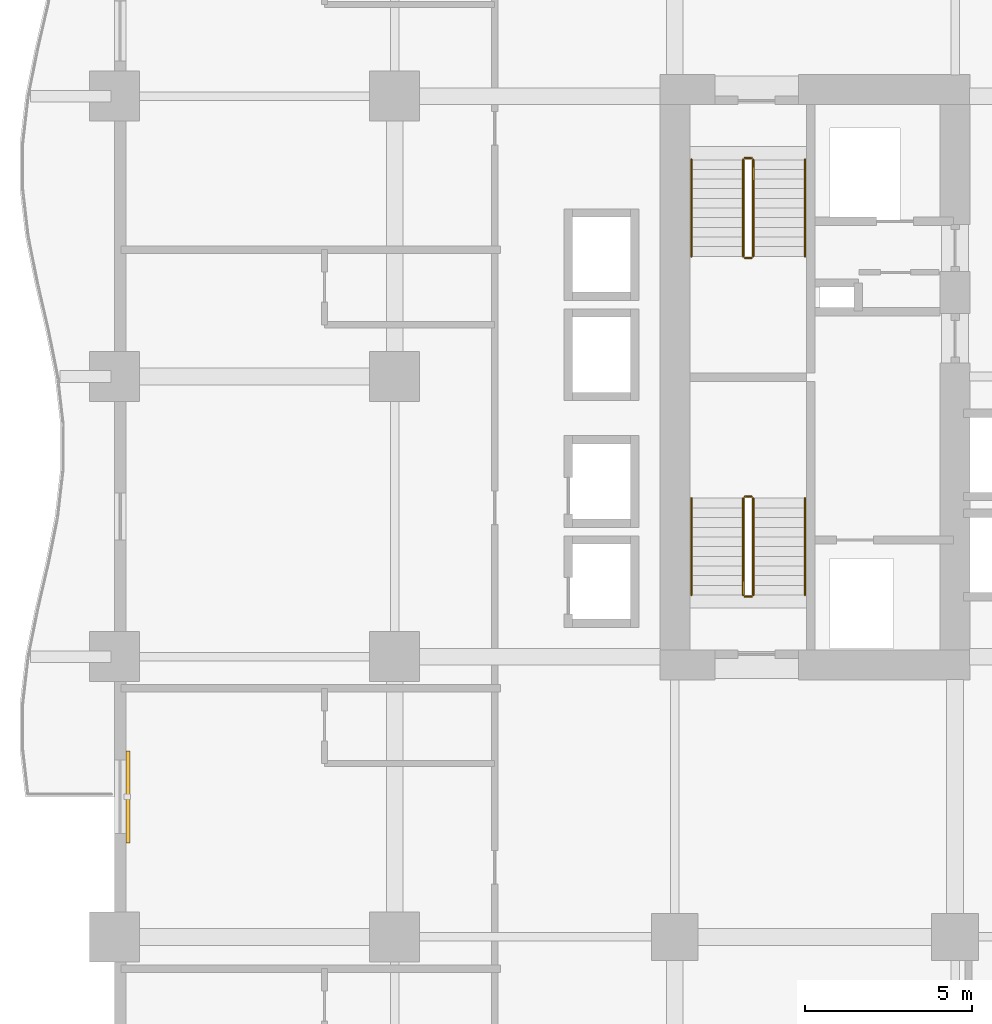
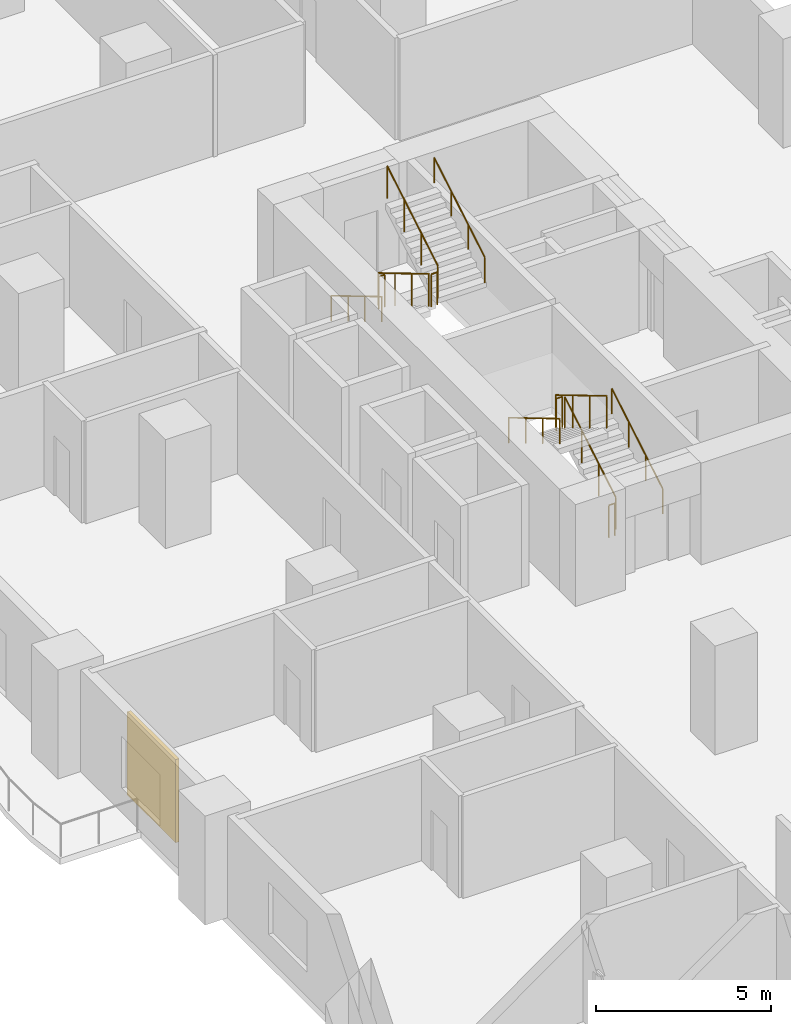
# One storey, part 21 of 22: 12 railings, 1 shading device.
"""IFC4 building model written with IfcOpenShell, lengths in metres."""

from ifc_helpers import new_model, si_unit, direction, frame, origin, origin_2d, place, context, subcontext, project, spatial, rectangle, circle, extrude, material, layer, layer_set, type_object, element, save


model = new_model("IFC4")

# Units and contexts
model_context = context("Model", 3, precision=1e-05, world=origin(), true_north=direction((0.0, 1.0)))
body_context = subcontext(model_context, "Body", "Model", "MODEL_VIEW")
ifc_project = project(units=[si_unit("LENGTHUNIT", "METRE"), si_unit("AREAUNIT", "SQUARE_METRE"), si_unit("VOLUMEUNIT", "CUBIC_METRE"), si_unit("PLANEANGLEUNIT", "RADIAN"), si_unit("MASSUNIT", "GRAM", prefix="KILO")], contexts=[model_context])

# Site, building, storey
site_placement = place(None, origin())
site = spatial("IfcSite", under=ifc_project, at=site_placement, CompositionType="ELEMENT")
building_placement = place(site_placement, origin())
building = spatial("IfcBuilding", under=site, at=building_placement, Name="Koriwani Terraces Tower", CompositionType="ELEMENT")
storey_placement = place(building_placement, frame((0.0, 0.0, 43.39990234375)))
storey = spatial("IfcBuildingStorey", under=building, at=storey_placement, Name="L09", CompositionType="ELEMENT", Elevation=43.39990234375)

# Railings
ifc_material_1 = material(Name="Steel ASTM A572 Grade 50", Category="steel")
railing_type_1 = type_object("IfcRailingType", Name="GUARD_STAIR_WELL_1120", PredefinedType="GUARDRAIL", material=ifc_material_1)
railing_1_placement = place(storey_placement, frame((19.14990234375, 43.85009765625, 0.1728515625)))
element("IfcRailing", 1, at=railing_1_placement, inside=storey, type_object=railing_type_1, Name="L09 ST-W1 stair guard 1", PredefinedType="GUARDRAIL", context=body_context, shape_type="SweptSolid", body=[
    extrude(circle(Radius=0.02392578125, at=origin_2d()), frame((0.0, 0.0, 1.1259765625), z_axis=(0.0, 0.859141464434, 0.511738159696), x_axis=(-1.0, 0.0, 0.0)), (0.0, 0.0, 1.0), 3.375244140625),
    extrude(circle(Radius=0.02099609375, at=origin_2d()), origin(), (0.0, 0.0, 1.0), 1.101806640625),
    extrude(circle(Radius=0.02099609375, at=origin_2d()), frame((0.0, 0.966552734375, 0.57568359375)), (0.0, 0.0, 1.0), 1.101806640625),
    extrude(circle(Radius=0.02099609375, at=origin_2d()), frame((0.0, 1.933349609375, 1.151611328125)), (0.0, 0.0, 1.0), 1.101806640625),
    extrude(circle(Radius=0.02099609375, at=origin_2d()), frame((0.0, 2.89990234375, 1.727294921875)), (0.0, 0.0, 1.0), 1.101806640625),
])
railing_2_placement = place(storey_placement, frame((19.10009765625, 46.800048828125, 1.900146484375)))
element("IfcRailing", 2, at=railing_2_placement, inside=storey, type_object=railing_type_1, Name="L09 ST-W1 stair guard 2", PredefinedType="GUARDRAIL", context=body_context, shape_type="SweptSolid", body=[
    extrude(circle(Radius=0.02392578125, at=origin_2d()), frame((0.0, 0.0, 1.1259765625), z_axis=(-1.0, 0.0, 0.0), x_axis=(0.0, -1.0, 0.0)), (0.0, 0.0, 1.0), 0.2001953125),
    extrude(circle(Radius=0.02099609375, at=origin_2d()), origin(), (0.0, 0.0, 1.0), 1.101806640625),
    extrude(circle(Radius=0.02099609375, at=origin_2d()), frame((-0.2001953125, 0.0, 0.0)), (0.0, 0.0, 1.0), 1.101806640625),
])
railing_3_placement = place(storey_placement, frame((18.85009765625, 46.75, 2.07275390625)))
element("IfcRailing", 3, at=railing_3_placement, inside=storey, type_object=railing_type_1, Name="L09 ST-W1 stair guard 3", PredefinedType="GUARDRAIL", context=body_context, shape_type="SweptSolid", body=[
    extrude(circle(Radius=0.02392578125, at=origin_2d()), frame((0.0, 0.0, 1.1259765625), z_axis=(0.0, -0.859141464434, 0.511738159696), x_axis=(1.0, 0.0, 0.0)), (0.0, 0.0, 1.0), 3.375244140625),
    extrude(circle(Radius=0.02099609375, at=origin_2d()), origin(), (0.0, 0.0, 1.0), 1.101806640625),
    extrude(circle(Radius=0.02099609375, at=origin_2d()), frame((0.0, -0.966552734375, 0.57568359375)), (0.0, 0.0, 1.0), 1.101806640625),
    extrude(circle(Radius=0.02099609375, at=origin_2d()), frame((0.0, -1.933349609375, 1.151611328125)), (0.0, 0.0, 1.0), 1.101806640625),
    extrude(circle(Radius=0.02099609375, at=origin_2d()), frame((0.0, -2.89990234375, 1.727294921875)), (0.0, 0.0, 1.0), 1.101806640625),
])
railing_4_placement = place(storey_placement, frame((19.10009765625, 43.800048828125, 0.0)))
element("IfcRailing", 4, at=railing_4_placement, inside=storey, type_object=railing_type_1, Name="L09 ST-W1 stair guard 4", PredefinedType="GUARDRAIL", context=body_context, shape_type="SweptSolid", body=[
    extrude(circle(Radius=0.02392578125, at=origin_2d()), frame((0.0, 0.0, 1.1259765625), z_axis=(-1.0, 0.0, 0.0), x_axis=(0.0, -1.0, 0.0)), (0.0, 0.0, 1.0), 0.2001953125),
    extrude(circle(Radius=0.02099609375, at=origin_2d()), origin(), (0.0, 0.0, 1.0), 1.101806640625),
    extrude(circle(Radius=0.02099609375, at=origin_2d()), frame((-0.2001953125, 0.0, 0.0)), (0.0, 0.0, 1.0), 1.101806640625),
])
railing_5_placement = place(storey_placement, frame((18.85009765625, 56.89990234375, 0.1728515625)))
element("IfcRailing", 5, at=railing_5_placement, inside=storey, type_object=railing_type_1, Name="L09 ST-W2 stair guard 1", PredefinedType="GUARDRAIL", context=body_context, shape_type="SweptSolid", body=[
    extrude(circle(Radius=0.02392578125, at=origin_2d()), frame((0.0, 0.0, 1.1259765625), z_axis=(0.0, -0.859141464434, 0.511738159696), x_axis=(1.0, 0.0, 0.0)), (0.0, 0.0, 1.0), 3.375244140625),
    extrude(circle(Radius=0.02099609375, at=origin_2d()), origin(), (0.0, 0.0, 1.0), 1.101806640625),
    extrude(circle(Radius=0.02099609375, at=origin_2d()), frame((0.0, -0.966552734375, 0.57568359375)), (0.0, 0.0, 1.0), 1.101806640625),
    extrude(circle(Radius=0.02099609375, at=origin_2d()), frame((0.0, -1.933349609375, 1.151611328125)), (0.0, 0.0, 1.0), 1.101806640625),
    extrude(circle(Radius=0.02099609375, at=origin_2d()), frame((0.0, -2.89990234375, 1.727294921875)), (0.0, 0.0, 1.0), 1.101806640625),
])
railing_6_placement = place(storey_placement, frame((18.89990234375, 53.949951171875, 1.900146484375)))
element("IfcRailing", 6, at=railing_6_placement, inside=storey, type_object=railing_type_1, Name="L09 ST-W2 stair guard 2", PredefinedType="GUARDRAIL", context=body_context, shape_type="SweptSolid", body=[
    extrude(circle(Radius=0.02392578125, at=origin_2d()), frame((0.0, 0.0, 1.1259765625), z_axis=(1.0, 0.0, 0.0), x_axis=(0.0, 1.0, 0.0)), (0.0, 0.0, 1.0), 0.2001953125),
    extrude(circle(Radius=0.02099609375, at=origin_2d()), origin(), (0.0, 0.0, 1.0), 1.101806640625),
    extrude(circle(Radius=0.02099609375, at=origin_2d()), frame((0.2001953125, 0.0, 0.0)), (0.0, 0.0, 1.0), 1.101806640625),
])
railing_7_placement = place(storey_placement, frame((19.14990234375, 54.0, 2.07275390625)))
element("IfcRailing", 7, at=railing_7_placement, inside=storey, type_object=railing_type_1, Name="L09 ST-W2 stair guard 3", PredefinedType="GUARDRAIL", context=body_context, shape_type="SweptSolid", body=[
    extrude(circle(Radius=0.02392578125, at=origin_2d()), frame((0.0, 0.0, 1.1259765625), z_axis=(0.0, 0.859141464434, 0.511738159696), x_axis=(-1.0, 0.0, 0.0)), (0.0, 0.0, 1.0), 3.375244140625),
    extrude(circle(Radius=0.02099609375, at=origin_2d()), origin(), (0.0, 0.0, 1.0), 1.101806640625),
    extrude(circle(Radius=0.02099609375, at=origin_2d()), frame((0.0, 0.966552734375, 0.57568359375)), (0.0, 0.0, 1.0), 1.101806640625),
    extrude(circle(Radius=0.02099609375, at=origin_2d()), frame((0.0, 1.933349609375, 1.151611328125)), (0.0, 0.0, 1.0), 1.101806640625),
    extrude(circle(Radius=0.02099609375, at=origin_2d()), frame((0.0, 2.89990234375, 1.727294921875)), (0.0, 0.0, 1.0), 1.101806640625),
])
railing_8_placement = place(storey_placement, frame((18.89990234375, 56.949951171875, 0.0)))
element("IfcRailing", 8, at=railing_8_placement, inside=storey, type_object=railing_type_1, Name="L09 ST-W2 stair guard 4", PredefinedType="GUARDRAIL", context=body_context, shape_type="SweptSolid", body=[
    extrude(circle(Radius=0.02392578125, at=origin_2d()), frame((0.0, 0.0, 1.1259765625), z_axis=(1.0, 0.0, 0.0), x_axis=(0.0, 1.0, 0.0)), (0.0, 0.0, 1.0), 0.2001953125),
    extrude(circle(Radius=0.02099609375, at=origin_2d()), origin(), (0.0, 0.0, 1.0), 1.101806640625),
    extrude(circle(Radius=0.02099609375, at=origin_2d()), frame((0.2001953125, 0.0, 0.0)), (0.0, 0.0, 1.0), 1.101806640625),
])
railing_type_2 = type_object("IfcRailingType", Name="HANDRAIL_STAIR_920", PredefinedType="HANDRAIL", material=ifc_material_1)
railing_9_placement = place(storey_placement, frame((20.699951171875, 43.85009765625, 0.1728515625)))
element("IfcRailing", 9, at=railing_9_placement, inside=storey, type_object=railing_type_2, Name="L09 ST-W1 stair handrail 1", PredefinedType="HANDRAIL", context=body_context, shape_type="SweptSolid", body=[
    extrude(circle(Radius=0.02392578125, at=origin_2d()), frame((0.0, 0.0, 0.8759765625), z_axis=(0.0, 0.859141464434, 0.511738159696), x_axis=(-1.0, 0.0, 0.0)), (0.0, 0.0, 1.0), 3.375244140625),
    extrude(circle(Radius=0.02099609375, at=origin_2d()), origin(), (0.0, 0.0, 1.0), 0.851806640625),
    extrude(circle(Radius=0.02099609375, at=origin_2d()), frame((0.0, 0.966552734375, 0.57568359375)), (0.0, 0.0, 1.0), 0.851806640625),
    extrude(circle(Radius=0.02099609375, at=origin_2d()), frame((0.0, 1.933349609375, 1.151611328125)), (0.0, 0.0, 1.0), 0.851806640625),
    extrude(circle(Radius=0.02099609375, at=origin_2d()), frame((0.0, 2.89990234375, 1.727294921875)), (0.0, 0.0, 1.0), 0.851806640625),
])
for number, where, name in (
    (10, (17.300048828125, 46.75, 2.07275390625), "L09 ST-W1 stair handrail 2"),
    (11, (17.300048828125, 56.89990234375, 0.1728515625), "L09 ST-W2 stair handrail 1"),
):
    element("IfcRailing", number, at=place(storey_placement, frame(where)), inside=storey, type_object=railing_type_2, Name=name, PredefinedType="HANDRAIL", context=body_context, shape_type="SweptSolid", body=[
        extrude(circle(Radius=0.02392578125, at=origin_2d()), frame((0.0, 0.0, 0.8759765625), z_axis=(0.0, -0.859141464434, 0.511738159696), x_axis=(1.0, 0.0, 0.0)), (0.0, 0.0, 1.0), 3.375244140625),
        extrude(circle(Radius=0.02099609375, at=origin_2d()), origin(), (0.0, 0.0, 1.0), 0.851806640625),
        extrude(circle(Radius=0.02099609375, at=origin_2d()), frame((0.0, -0.966552734375, 0.57568359375)), (0.0, 0.0, 1.0), 0.851806640625),
        extrude(circle(Radius=0.02099609375, at=origin_2d()), frame((0.0, -1.933349609375, 1.151611328125)), (0.0, 0.0, 1.0), 0.851806640625),
        extrude(circle(Radius=0.02099609375, at=origin_2d()), frame((0.0, -2.89990234375, 1.727294921875)), (0.0, 0.0, 1.0), 0.851806640625),
    ])
railing_10_placement = place(storey_placement, frame((20.699951171875, 54.0, 2.07275390625)))
element("IfcRailing", 12, at=railing_10_placement, inside=storey, type_object=railing_type_2, Name="L09 ST-W2 stair handrail 2", PredefinedType="HANDRAIL", context=body_context, shape_type="SweptSolid", body=[
    extrude(circle(Radius=0.02392578125, at=origin_2d()), frame((0.0, 0.0, 0.8759765625), z_axis=(0.0, 0.859141464434, 0.511738159696), x_axis=(-1.0, 0.0, 0.0)), (0.0, 0.0, 1.0), 3.375244140625),
    extrude(circle(Radius=0.02099609375, at=origin_2d()), origin(), (0.0, 0.0, 1.0), 0.851806640625),
    extrude(circle(Radius=0.02099609375, at=origin_2d()), frame((0.0, 0.966552734375, 0.57568359375)), (0.0, 0.0, 1.0), 0.851806640625),
    extrude(circle(Radius=0.02099609375, at=origin_2d()), frame((0.0, 1.933349609375, 1.151611328125)), (0.0, 0.0, 1.0), 0.851806640625),
    extrude(circle(Radius=0.02099609375, at=origin_2d()), frame((0.0, 2.89990234375, 1.727294921875)), (0.0, 0.0, 1.0), 0.851806640625),
])

# Shading device
ifc_material_2 = material(Name="Extruded Terracotta Clay", Category="masonry")
ifc_layer = layer(ifc_material_2, 0.1201171875, Name="Extruded Terracotta Clay")
ifc_layer_set = layer_set([ifc_layer], Name="Extruded Terracotta Clay")
shading_device_type = type_object("IfcShadingDeviceType", Name="TERRACOTTA_BAGUETTE_SCREEN_2800", PredefinedType="USERDEFINED", material=ifc_layer_set)
shading_device_placement = place(storey_placement, frame((0.405029296875, 37.800048828125, 0.3251953125), z_axis=(0.0, 0.0, 1.0), x_axis=(0.0, 1.0, 0.0)))
element("IfcShadingDevice", 13, at=shading_device_placement, inside=storey, type_object=shading_device_type, Name="L09 Extruded Terracotta Baguette Screen (W-12)", ObjectType="BAGUETTE", PredefinedType="USERDEFINED", context=body_context, shape_type="SweptSolid", body=[
    extrude(rectangle(XDim=2.760009765625, YDim=0.1201171875, at=origin_2d()), origin(), (0.0, 0.0, 1.0), 2.89990234375),
])

save(model, "model.ifc")
